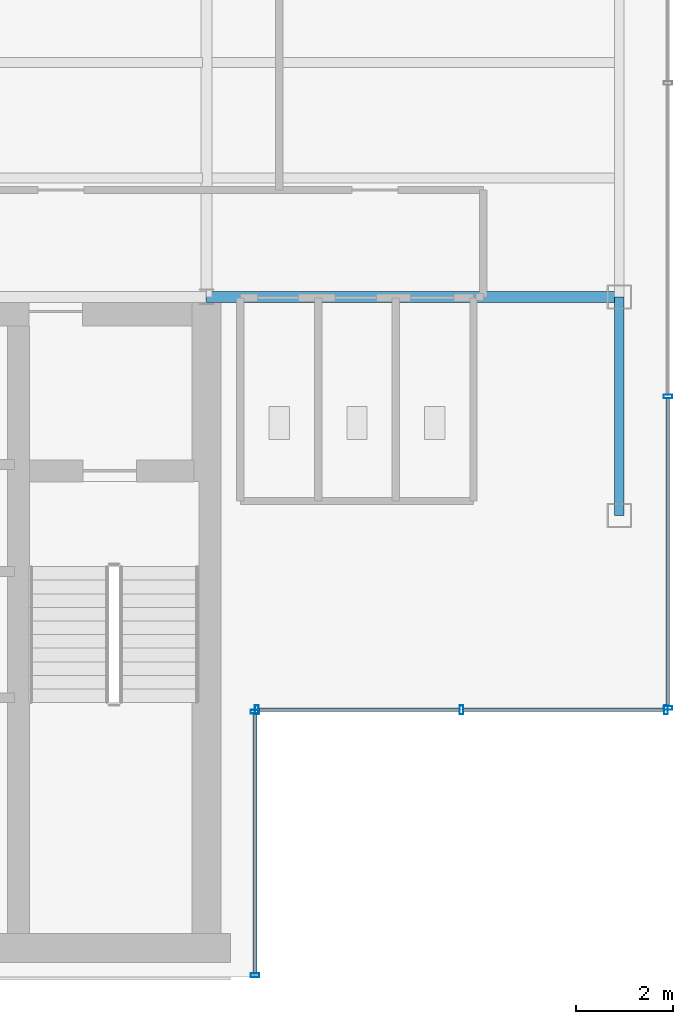
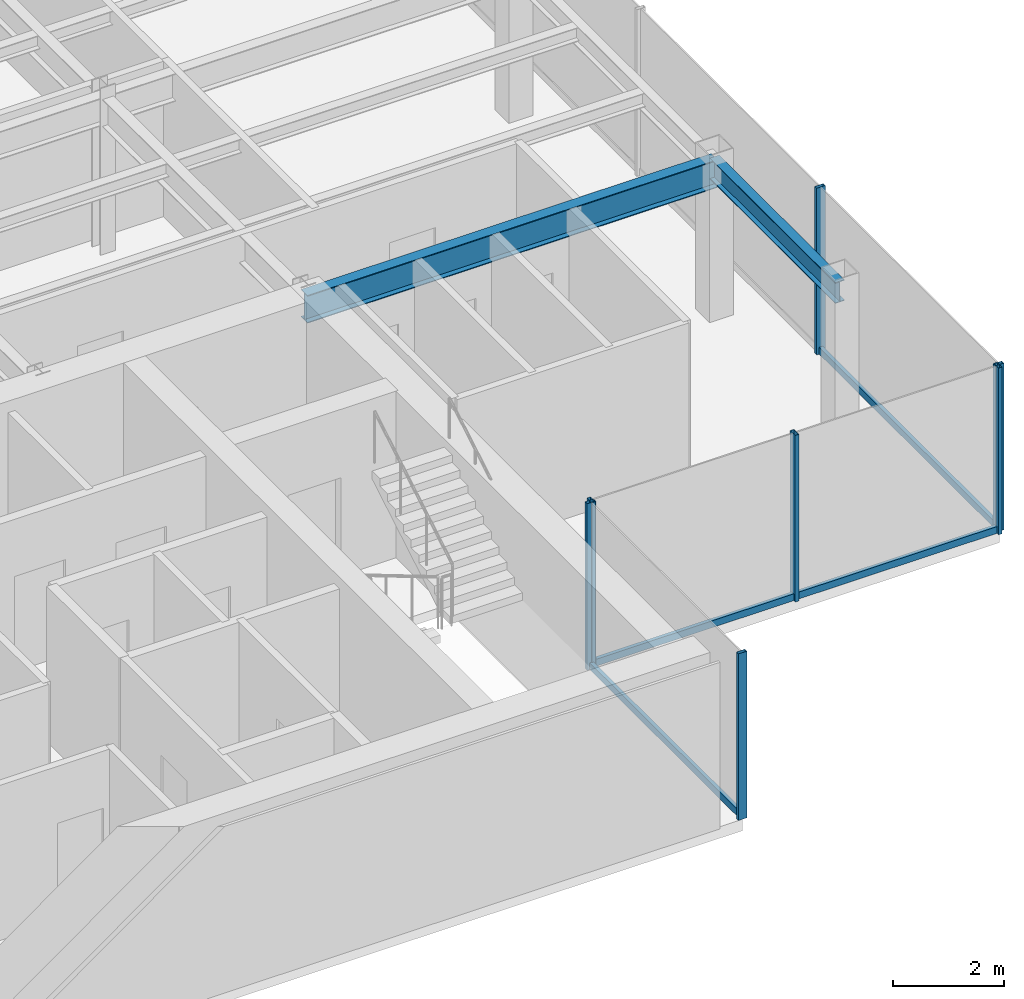
# One storey, part 9 of 22: 11 members, 2 beams, 3 elements without a shape of their own.
"""IFC4 building model written with IfcOpenShell, lengths in metres."""

from ifc_helpers import new_model, si_unit, derived_unit, direction, frame, origin, origin_2d, place, context, subcontext, project, spatial, hollow_rectangle, i_section, extrude, source, transform, mapped, material, material_profile, profile_set, type_object, element, aggregate, save


model = new_model("IFC4")

# Units and contexts
model_context = context("Model", 3, precision=1e-05, world=origin(), true_north=direction((0.0, 1.0)))
body_context = subcontext(model_context, "Body", "Model", "MODEL_VIEW")
ifc_project = project(units=[si_unit("LENGTHUNIT", "METRE"), si_unit("AREAUNIT", "SQUARE_METRE"), si_unit("VOLUMEUNIT", "CUBIC_METRE"), si_unit("PLANEANGLEUNIT", "RADIAN"), si_unit("MASSUNIT", "GRAM", prefix="KILO"), derived_unit("THERMALTRANSMITTANCEUNIT", [(si_unit("POWERUNIT", "WATT"), 1), (si_unit("LENGTHUNIT", "METRE"), -2), (si_unit("THERMODYNAMICTEMPERATUREUNIT", "KELVIN"), -1)])], contexts=[model_context])

# Site, building, storey
site_placement = place(None, origin())
site = spatial("IfcSite", under=ifc_project, at=site_placement, CompositionType="ELEMENT")
building_placement = place(site_placement, origin())
building = spatial("IfcBuilding", under=site, at=building_placement, Name="Skarnbrae Concourse Arena and Tower", CompositionType="ELEMENT")
storey_placement = place(building_placement, frame((0.0, 0.0, 255.14990234375)))
storey = spatial("IfcBuildingStorey", under=building, at=storey_placement, Name="L66", CompositionType="ELEMENT", Elevation=255.14990234375)

# Beams
ifc_material_1 = material(Name="Steel CSA G40.21 350W", Category="steel")
ifc_material_profile_1 = material_profile(ifc_material_1, i_section(OverallWidth=0.22802734375, OverallDepth=0.60791015625, WebThickness=0.01123046875, FlangeThickness=0.017333984375, at=origin_2d()), Name="W610X113")
ifc_profile_set_1 = profile_set([ifc_material_profile_1], Name="Steel CSA G40.21 350W")
beam_type_1 = type_object("IfcBeamType", Name="BM-GIRD-W610X113", PredefinedType="BEAM", material=ifc_profile_set_1)
shared_shape_1 = source(origin(), body_context, "Body", "SweptSolid", [
    extrude(i_section(OverallWidth=0.22802734375, OverallDepth=0.60791015625, WebThickness=0.01123046875, FlangeThickness=0.017333984375, at=origin_2d()), origin(), (0.0, 0.0, 1.0), 8.5),
])
beam_1_placement = place(storey_placement, frame((33.5, 14.0, 3.09619140625), z_axis=(1.0, 0.0, 0.0), x_axis=(0.0, 1.0, 0.0)))
element("IfcBeam", 1, at=beam_1_placement, inside=storey, type_object=beam_type_1, Name="L66 Primary E-W girder Y14.0-6", PredefinedType="BEAM", context=body_context, shape_type="MappedRepresentation", body=[
    mapped(shared_shape_1, transform((0.0, 0.0, 0.0))),
])
ifc_material_profile_2 = material_profile(ifc_material_1, i_section(OverallWidth=0.19091796875, OverallDepth=0.4599609375, WebThickness=0.010009765625, FlangeThickness=0.01611328125, at=origin_2d()), Name="W460X82")
ifc_profile_set_2 = profile_set([ifc_material_profile_2], Name="Steel CSA G40.21 350W")
beam_type_2 = type_object("IfcBeamType", Name="BM-SPAN-W460X82", PredefinedType="SPANDREL", material=ifc_profile_set_2)
shared_shape_2 = source(origin(), body_context, "Body", "SweptSolid", [
    extrude(i_section(OverallWidth=0.19091796875, OverallDepth=0.4599609375, WebThickness=0.010009765625, FlangeThickness=0.01611328125, at=origin_2d()), origin(), (0.0, 0.0, 1.0), 4.5),
])
beam_2_placement = place(storey_placement, frame((42.0, 9.5, 3.170166015625), z_axis=(0.0, 1.0, 0.0), x_axis=(-1.0, 0.0, 0.0)))
element("IfcBeam", 2, at=beam_2_placement, inside=storey, type_object=beam_type_2, Name="L66 Perimeter spandrel X42.0-1", PredefinedType="SPANDREL", context=body_context, shape_type="MappedRepresentation", body=[
    mapped(shared_shape_2, transform((0.0, 0.0, 0.0))),
])

# Curtain wall, member
ifc_material_2 = material(Name="Bronze anodised aluminium 6063-T6", Category="aluminium")
curtain_wall_type = type_object("IfcCurtainWallType", Name="CW-SYS-05-HIGHZONE", PredefinedType="USERDEFINED", material=ifc_material_2)
curtain_wall_1_placement = place(storey_placement, origin())
curtain_wall_1 = element("IfcCurtainWall", 3, at=curtain_wall_1_placement, inside=storey, type_object=curtain_wall_type, Name="L66 Unitised curtain wall CW-L66-E02", ObjectType="UNITISED CURTAIN WALL", PredefinedType="USERDEFINED")
ifc_material_profile_3 = material_profile(ifc_material_2, hollow_rectangle(XDim=0.074951171875, YDim=0.14990234375, WallThickness=0.00390625, at=origin_2d()), Name="ALU-TRAN-75X150")
ifc_profile_set_3 = profile_set([ifc_material_profile_3], Name="Bronze anodised aluminium 6063-T6")
member_type_1 = type_object("IfcMemberType", Name="CWT-CW-05", PredefinedType="USERDEFINED", material=ifc_profile_set_3)
shared_shape_3 = source(origin(), body_context, "Body", "SweptSolid", [
    extrude(hollow_rectangle(XDim=0.074951171875, YDim=0.14990234375, WallThickness=0.00390625, at=origin_2d()), origin(), (0.0, 0.0, 1.0), 5.35009765625),
])
member_1_placement = place(storey_placement, frame((34.5, 0.074951171875, 0.0751953125), z_axis=(0.0, 1.0, 0.0), x_axis=(-1.0, 0.0, 0.0)))
member_1 = element("IfcMember", 4, at=member_1_placement, type_object=member_type_1, Name="CW-L66-E02 Transom 1", ObjectType="TRANSOM", PredefinedType="USERDEFINED", context=body_context, shape_type="MappedRepresentation", body=[
    mapped(shared_shape_3, transform((0.0, 0.0, 0.0))),
])

# Curtain wall, members
curtain_wall_2_placement = place(storey_placement, origin())
curtain_wall_2 = element("IfcCurtainWall", 5, at=curtain_wall_2_placement, inside=storey, type_object=curtain_wall_type, Name="L66 Unitised curtain wall CW-L66-E03", ObjectType="UNITISED CURTAIN WALL", PredefinedType="USERDEFINED")
shared_shape_4 = source(origin(), body_context, "Body", "SweptSolid", [
    extrude(hollow_rectangle(XDim=0.074951171875, YDim=0.14990234375, WallThickness=0.00390625, at=origin_2d()), origin(), (0.0, 0.0, 1.0), 4.137451171875),
])
member_2_placement = place(storey_placement, frame((34.574951171875, 5.5, 0.0751953125), z_axis=(1.0, 0.0, 0.0), x_axis=(0.0, 1.0, 0.0)))
member_2 = element("IfcMember", 6, at=member_2_placement, type_object=member_type_1, Name="CW-L66-E03 Transom 1", ObjectType="TRANSOM", PredefinedType="USERDEFINED", context=body_context, shape_type="MappedRepresentation", body=[
    mapped(shared_shape_4, transform((0.0, 0.0, 0.0))),
])
member_3_placement = place(storey_placement, frame((38.78759765625, 5.5, 0.0751953125), z_axis=(1.0, 0.0, 0.0), x_axis=(0.0, 1.0, 0.0)))
member_3 = element("IfcMember", 7, at=member_3_placement, type_object=member_type_1, Name="CW-L66-E03 Transom 2", ObjectType="TRANSOM", PredefinedType="USERDEFINED", context=body_context, shape_type="MappedRepresentation", body=[
    mapped(shared_shape_4, transform((0.0, 0.0, 0.0))),
])

# Curtain wall, member
curtain_wall_3_placement = place(storey_placement, origin())
curtain_wall_3 = element("IfcCurtainWall", 8, at=curtain_wall_3_placement, inside=storey, type_object=curtain_wall_type, Name="L66 Unitised curtain wall CW-L66-E04", ObjectType="UNITISED CURTAIN WALL", PredefinedType="USERDEFINED")
shared_shape_5 = source(origin(), body_context, "Body", "SweptSolid", [
    extrude(hollow_rectangle(XDim=0.074951171875, YDim=0.14990234375, WallThickness=0.00390625, at=origin_2d()), origin(), (0.0, 0.0, 1.0), 6.337646484375),
])
member_4_placement = place(storey_placement, frame((43.0, 5.574951171875, 0.0751953125), z_axis=(0.0, 1.0, 0.0), x_axis=(-1.0, 0.0, 0.0)))
member_4 = element("IfcMember", 9, at=member_4_placement, type_object=member_type_1, Name="CW-L66-E04 Transom 1", ObjectType="TRANSOM", PredefinedType="USERDEFINED", context=body_context, shape_type="MappedRepresentation", body=[
    mapped(shared_shape_5, transform((0.0, 0.0, 0.0))),
])

# Member
ifc_material_profile_4 = material_profile(ifc_material_2, hollow_rectangle(XDim=0.074951171875, YDim=0.179931640625, WallThickness=0.00390625, at=origin_2d()), Name="ALU-MULL-75X180")
ifc_profile_set_4 = profile_set([ifc_material_profile_4], Name="Bronze anodised aluminium 6063-T6")
member_type_2 = type_object("IfcMemberType", Name="CWM-CW-05", PredefinedType="MULLION", material=ifc_profile_set_4)
shared_shape_6 = source(origin(), body_context, "Body", "SweptSolid", [
    extrude(hollow_rectangle(XDim=0.074951171875, YDim=0.179931640625, WallThickness=0.00390625, at=origin_2d()), origin(), (0.0, 0.0, 1.0), 3.650146484375),
])
member_5_placement = place(storey_placement, frame((34.5, 0.03759765625, 0.0), z_axis=(0.0, 0.0, 1.0), x_axis=(0.0, 1.0, 0.0)))
member_5 = element("IfcMember", 10, at=member_5_placement, type_object=member_type_2, Name="CW-L66-E02 Mullion 1", PredefinedType="MULLION", context=body_context, shape_type="MappedRepresentation", body=[
    mapped(shared_shape_6, transform((0.0, 0.0, 0.0))),
])

member_6_placement = place(storey_placement, frame((34.5, 5.46240234375, 0.0), z_axis=(0.0, 0.0, 1.0), x_axis=(0.0, 1.0, 0.0)))
member_6 = element("IfcMember", 11, at=member_6_placement, type_object=member_type_2, Name="CW-L66-E02 Mullion 2", PredefinedType="MULLION", context=body_context, shape_type="MappedRepresentation", body=[
    mapped(shared_shape_6, transform((0.0, 0.0, 0.0))),
])

aggregate(curtain_wall_1, [member_5, member_6, member_1])

member_7_placement = place(storey_placement, frame((34.53759765625, 5.5, 0.0), z_axis=(0.0, 0.0, 1.0), x_axis=(1.0, 0.0, 0.0)))
member_7 = element("IfcMember", 12, at=member_7_placement, type_object=member_type_2, Name="CW-L66-E03 Mullion 1", PredefinedType="MULLION", context=body_context, shape_type="MappedRepresentation", body=[
    mapped(shared_shape_6, transform((0.0, 0.0, 0.0))),
])

member_8_placement = place(storey_placement, frame((38.75, 5.5, 0.0), z_axis=(0.0, 0.0, 1.0), x_axis=(1.0, 0.0, 0.0)))
member_8 = element("IfcMember", 13, at=member_8_placement, type_object=member_type_2, Name="CW-L66-E03 Mullion 2", PredefinedType="MULLION", context=body_context, shape_type="MappedRepresentation", body=[
    mapped(shared_shape_6, transform((0.0, 0.0, 0.0))),
])

member_9_placement = place(storey_placement, frame((42.96240234375, 5.5, 0.0), z_axis=(0.0, 0.0, 1.0), x_axis=(1.0, 0.0, 0.0)))
member_9 = element("IfcMember", 14, at=member_9_placement, type_object=member_type_2, Name="CW-L66-E03 Mullion 3", PredefinedType="MULLION", context=body_context, shape_type="MappedRepresentation", body=[
    mapped(shared_shape_6, transform((0.0, 0.0, 0.0))),
])

aggregate(curtain_wall_2, [member_7, member_8, member_9, member_2, member_3])

member_10_placement = place(storey_placement, frame((43.0, 5.53759765625, 0.0), z_axis=(0.0, 0.0, 1.0), x_axis=(0.0, 1.0, 0.0)))
member_10 = element("IfcMember", 15, at=member_10_placement, type_object=member_type_2, Name="CW-L66-E04 Mullion 1", PredefinedType="MULLION", context=body_context, shape_type="MappedRepresentation", body=[
    mapped(shared_shape_6, transform((0.0, 0.0, 0.0))),
])

member_11_placement = place(storey_placement, frame((43.0, 11.949951171875, 0.0), z_axis=(0.0, 0.0, 1.0), x_axis=(0.0, 1.0, 0.0)))
member_11 = element("IfcMember", 16, at=member_11_placement, type_object=member_type_2, Name="CW-L66-E04 Mullion 2", PredefinedType="MULLION", context=body_context, shape_type="MappedRepresentation", body=[
    mapped(shared_shape_6, transform((0.0, 0.0, 0.0))),
])

aggregate(curtain_wall_3, [member_10, member_11, member_4])

save(model, "model.ifc")
